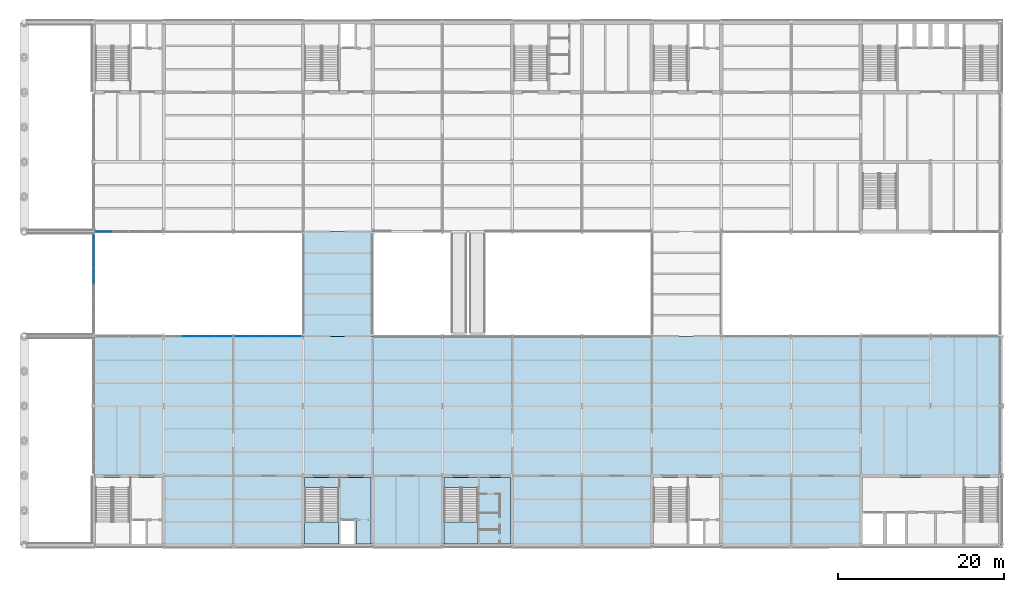
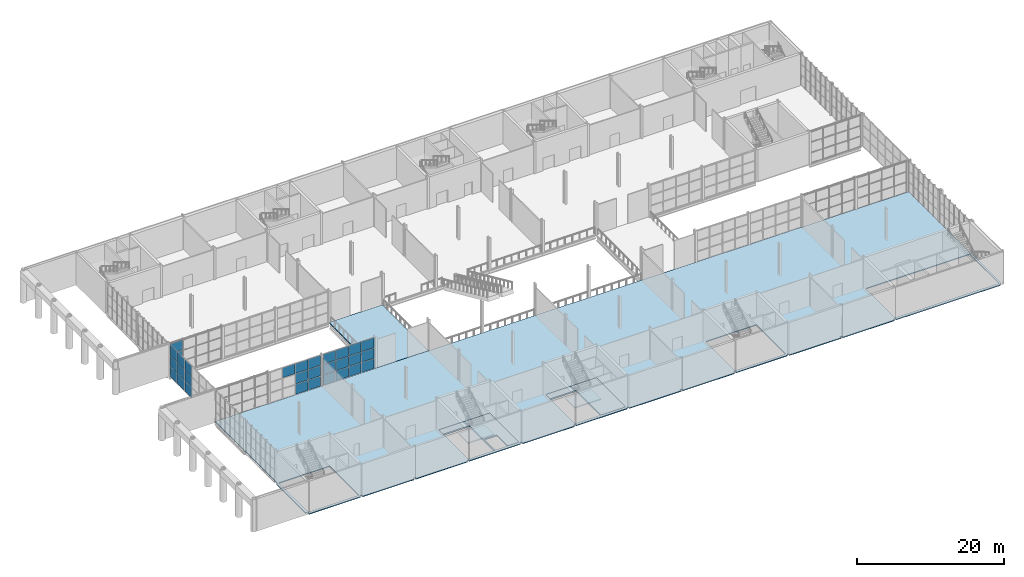
# One storey, part 33 of 64: 31 plates, 6 slabs, 6 elements without a shape of their own.
"""IFC4 building model written with IfcOpenShell, lengths in metres."""

from ifc_helpers import new_model, si_unit, direction, frame, origin, origin_2d, place, context, subcontext, project, spatial, polyline, rectangle, outline, extrude, material, layer, layer_set, type_object, element, aggregate, save


model = new_model("IFC4")

# Units and contexts
model_context = context("Model", 3, precision=1e-05, world=origin(), true_north=direction((0.0, 1.0)))
body_context = subcontext(model_context, "Body", "Model", "MODEL_VIEW")
ifc_project = project(units=[si_unit("LENGTHUNIT", "METRE"), si_unit("AREAUNIT", "SQUARE_METRE"), si_unit("VOLUMEUNIT", "CUBIC_METRE"), si_unit("PLANEANGLEUNIT", "RADIAN"), si_unit("MASSUNIT", "GRAM", prefix="KILO")], contexts=[model_context])

# Site, building, storey
site_placement = place(None, origin())
site = spatial("IfcSite", under=ifc_project, at=site_placement, CompositionType="ELEMENT")
building_placement = place(site_placement, origin())
building = spatial("IfcBuilding", under=site, at=building_placement, Name="Galleria Vessillo Department Store", CompositionType="ELEMENT")
storey_placement = place(building_placement, frame((0.0, 0.0, 6.0)))
storey = spatial("IfcBuildingStorey", under=building, at=storey_placement, Name="L01", CompositionType="ELEMENT", Elevation=6.0)

# Slabs
ifc_material_1 = material(Name="Concrete C32/40 composite on steel deck", Category="concrete")
ifc_layer_1 = layer(ifc_material_1, 0.14990234375)
ifc_layer_set_1 = layer_set([ifc_layer_1], Name="Concrete C32/40 composite on steel deck")
slab_type_1 = type_object("IfcSlabType", Name="Composite bridge slab 150 mm", PredefinedType="FLOOR", material=ifc_layer_set_1)
slab_1_placement = place(storey_placement, frame((0.0, 0.0, -0.14990234375)))
element("IfcSlab", 1, at=slab_1_placement, inside=storey, type_object=slab_type_1, Name="S-SLAB-L01-BRIDGE-W", PredefinedType="FLOOR", context=body_context, shape_type="SweptSolid", body=[
    extrude(outline(polyline([(42.0, 25.199951171875), (42.0, 37.800048828125), (33.60009765625, 37.800048828125), (33.60009765625, 25.199951171875), (42.0, 25.199951171875)])), origin(), (0.0, 0.0, 1.0), 0.14990234375),
])
ifc_material_2 = material(Name="Concrete C32/40 composite on steel deck", Category="concrete")
ifc_layer_2 = layer(ifc_material_2, 0.14990234375)
ifc_layer_set_2 = layer_set([ifc_layer_2], Name="Concrete C32/40 composite on steel deck")
slab_type_2 = type_object("IfcSlabType", Name="Composite floor slab 150 mm", PredefinedType="FLOOR", material=ifc_layer_set_2)
slab_2_placement = place(storey_placement, frame((0.0, 0.0, -0.14990234375)))
element("IfcSlab", 2, at=slab_2_placement, inside=storey, type_object=slab_type_2, Name="S-SLAB-L01-FLOOR-S", PredefinedType="FLOOR", context=body_context, shape_type="SweptSolid", body=[
    extrude(outline(polyline([(84.150634765625, 0.0), (83.849365234375, 0.0), (83.849365234375, -0.199462890625), (75.750732421875, -0.199462890625), (75.750732421875, 0.0), (75.449462890625, 0.0), (75.449462890625, -0.24951171875), (67.3505859375, -0.24951171875), (67.3505859375, 0.0), (67.04931640625, 0.0), (67.04931640625, -0.24951171875), (58.95068359375, -0.24951171875), (58.95068359375, 0.0), (58.6494140625, 0.0), (58.6494140625, -0.199462890625), (50.550537109375, -0.199462890625), (50.550537109375, 0.0), (50.249267578125, 0.0), (50.249267578125, -0.24951171875), (42.150634765625, -0.24951171875), (42.150634765625, 0.0), (41.849365234375, 0.0), (41.849365234375, -0.199462890625), (33.750732421875, -0.199462890625), (33.750732421875, 0.0), (33.449462890625, 0.0), (33.449462890625, -0.24951171875), (25.3505859375, -0.24951171875), (25.3505859375, 0.0), (25.04931640625, 0.0), (25.04931640625, -0.24951171875), (16.95068359375, -0.24951171875), (16.95068359375, 0.0), (16.6494140625, 0.0), (16.6494140625, -0.199462890625), (8.550537109375, -0.199462890625), (8.550537109375, 0.0), (8.39990234375, 0.0), (8.39990234375, 0.25048828125), (8.25048828125, 0.25048828125), (8.25048828125, 0.280517578125), (8.200439453125, 0.280517578125), (8.200439453125, 8.1494140625), (8.39990234375, 8.1494140625), (8.39990234375, 25.199951171875), (117.60009765625, 25.199951171875), (117.60009765625, 8.249267578125), (117.68017578125, 8.249267578125), (117.68017578125, 0.150634765625), (117.60009765625, 0.150634765625), (117.60009765625, 0.0), (117.349609375, 0.0), (117.349609375, -0.199462890625), (100.95068359375, -0.199462890625), (100.95068359375, 0.0), (100.6494140625, 0.0), (100.6494140625, -0.24951171875), (92.550537109375, -0.24951171875), (92.550537109375, 0.0), (92.249267578125, 0.0), (92.249267578125, -0.24951171875), (84.150634765625, -0.24951171875), (84.150634765625, 0.0)]), holes=[polyline([(8.599853515625, 8.199951171875), (8.599853515625, 0.199951171875), (16.60009765625, 0.199951171875), (16.60009765625, 8.199951171875), (8.599853515625, 8.199951171875)]), polyline([(33.800048828125, 8.199951171875), (33.800048828125, 0.199951171875), (41.800048828125, 0.199951171875), (41.800048828125, 8.199951171875), (33.800048828125, 8.199951171875)]), polyline([(50.599853515625, 8.199951171875), (50.599853515625, 0.199951171875), (58.60009765625, 0.199951171875), (58.60009765625, 8.199951171875), (50.599853515625, 8.199951171875)]), polyline([(83.800048828125, 8.199951171875), (75.800048828125, 8.199951171875), (75.800048828125, 0.199951171875), (83.800048828125, 0.199951171875), (83.800048828125, 8.199951171875)]), polyline([(117.400146484375, 8.199951171875), (101.0, 8.199951171875), (101.0, 0.199951171875), (117.400146484375, 0.199951171875), (117.400146484375, 8.199951171875)])]), origin(), (0.0, 0.0, 1.0), 0.14990234375),
])

# Curtain wall, plates
ifc_material_3 = material(Name="Aluminium and glass curtain wall", Category="aluminium")
ifc_layer_3 = layer(ifc_material_3, 0.159912109375)
ifc_layer_set_3 = layer_set([ifc_layer_3], Name="Aluminium and glass curtain wall")
curtain_wall_type_1 = type_object("IfcCurtainWallType", Name="Arcade portal glazing CW2 2100 module", PredefinedType="NOTDEFINED", material=ifc_layer_set_3)
curtain_wall_1_placement = place(storey_placement, origin())
curtain_wall_1 = element("IfcCurtainWall", 3, at=curtain_wall_1_placement, inside=storey, type_object=curtain_wall_type_1, Name="Arcade portal glazing CW2 2100 module PW-W-N-L01-01", PredefinedType="NOTDEFINED")
ifc_material_4 = material(Name="Glass laminated 44.2 low-e", Category="glass")
ifc_layer_4 = layer(ifc_material_4, 0.028076171875)
ifc_layer_set_4 = layer_set([ifc_layer_4], Name="Glass laminated 44.2 low-e")
plate_type_1 = type_object("IfcPlateType", Name="Laminated glass panel 28 mm", PredefinedType="CURTAIN_PANEL", material=ifc_layer_set_4)
plate_1_placement = place(storey_placement, frame((9.576904296875, 37.800048828125, 0.06005859375), z_axis=(0.0, 0.0, 1.0), x_axis=(1.0, 0.0, 0.0)))
plate_1 = element("IfcPlate", 4, at=plate_1_placement, type_object=plate_type_1, Name="CW2 panel 1.1", PredefinedType="CURTAIN_PANEL", context=body_context, shape_type="SweptSolid", body=[
    extrude(rectangle(XDim=1.94873046875, YDim=0.028076171875, at=origin_2d()), origin(), (0.0, 0.0, 1.0), 1.659912109375),
])
plate_2_placement = place(storey_placement, frame((9.576904296875, 37.800048828125, 1.780029296875), z_axis=(0.0, 0.0, 1.0), x_axis=(1.0, 0.0, 0.0)))
plate_2 = element("IfcPlate", 5, at=plate_2_placement, type_object=plate_type_1, Name="CW2 panel 1.2", PredefinedType="CURTAIN_PANEL", context=body_context, shape_type="SweptSolid", body=[
    extrude(rectangle(XDim=1.94873046875, YDim=0.028076171875, at=origin_2d()), origin(), (0.0, 0.0, 1.0), 1.68994140625),
])
plate_3_placement = place(storey_placement, frame((9.576904296875, 37.800048828125, 3.5302734375), z_axis=(0.0, 0.0, 1.0), x_axis=(1.0, 0.0, 0.0)))
plate_3 = element("IfcPlate", 6, at=plate_3_placement, type_object=plate_type_1, Name="CW2 panel 1.3", PredefinedType="CURTAIN_PANEL", context=body_context, shape_type="SweptSolid", body=[
    extrude(rectangle(XDim=1.94873046875, YDim=0.028076171875, at=origin_2d()), origin(), (0.0, 0.0, 1.0), 1.659912109375),
])
aggregate(curtain_wall_1, [plate_1, plate_2, plate_3])

curtain_wall_2_placement = place(storey_placement, origin())
curtain_wall_2 = element("IfcCurtainWall", 7, at=curtain_wall_2_placement, inside=storey, type_object=curtain_wall_type_1, Name="Arcade portal glazing CW2 2100 module SCR-W-L01-01", PredefinedType="NOTDEFINED")
plate_4_placement = place(storey_placement, frame((8.39990234375, 32.494384765625, 0.06005859375), z_axis=(0.0, 0.0, 1.0), x_axis=(0.0, 1.0, 0.0)))
plate_4 = element("IfcPlate", 8, at=plate_4_placement, type_object=plate_type_1, Name="CW2 panel 4.1", PredefinedType="CURTAIN_PANEL", context=body_context, shape_type="SweptSolid", body=[
    extrude(rectangle(XDim=1.938720703125, YDim=0.028076171875, at=origin_2d()), origin(), (0.0, 0.0, 1.0), 1.7099609375),
])
plate_5_placement = place(storey_placement, frame((8.39990234375, 32.494384765625, 1.830078125), z_axis=(0.0, 0.0, 1.0), x_axis=(0.0, 1.0, 0.0)))
plate_5 = element("IfcPlate", 9, at=plate_5_placement, type_object=plate_type_1, Name="CW2 panel 4.2", PredefinedType="CURTAIN_PANEL", context=body_context, shape_type="SweptSolid", body=[
    extrude(rectangle(XDim=1.938720703125, YDim=0.028076171875, at=origin_2d()), origin(), (0.0, 0.0, 1.0), 1.739990234375),
])
plate_6_placement = place(storey_placement, frame((8.39990234375, 32.494384765625, 3.6298828125), z_axis=(0.0, 0.0, 1.0), x_axis=(0.0, 1.0, 0.0)))
plate_6 = element("IfcPlate", 10, at=plate_6_placement, type_object=plate_type_1, Name="CW2 panel 4.3", PredefinedType="CURTAIN_PANEL", context=body_context, shape_type="SweptSolid", body=[
    extrude(rectangle(XDim=1.938720703125, YDim=0.028076171875, at=origin_2d()), origin(), (0.0, 0.0, 1.0), 1.7099609375),
])
plate_7_placement = place(storey_placement, frame((8.39990234375, 34.483154296875, 0.06005859375), z_axis=(0.0, 0.0, 1.0), x_axis=(0.0, 1.0, 0.0)))
plate_7 = element("IfcPlate", 11, at=plate_7_placement, type_object=plate_type_1, Name="CW2 panel 5.1", PredefinedType="CURTAIN_PANEL", context=body_context, shape_type="SweptSolid", body=[
    extrude(rectangle(XDim=1.938720703125, YDim=0.028076171875, at=origin_2d()), origin(), (0.0, 0.0, 1.0), 1.7099609375),
])
plate_8_placement = place(storey_placement, frame((8.39990234375, 34.483154296875, 1.830078125), z_axis=(0.0, 0.0, 1.0), x_axis=(0.0, 1.0, 0.0)))
plate_8 = element("IfcPlate", 12, at=plate_8_placement, type_object=plate_type_1, Name="CW2 panel 5.2", PredefinedType="CURTAIN_PANEL", context=body_context, shape_type="SweptSolid", body=[
    extrude(rectangle(XDim=1.938720703125, YDim=0.028076171875, at=origin_2d()), origin(), (0.0, 0.0, 1.0), 1.739990234375),
])
plate_9_placement = place(storey_placement, frame((8.39990234375, 34.483154296875, 3.6298828125), z_axis=(0.0, 0.0, 1.0), x_axis=(0.0, 1.0, 0.0)))
plate_9 = element("IfcPlate", 13, at=plate_9_placement, type_object=plate_type_1, Name="CW2 panel 5.3", PredefinedType="CURTAIN_PANEL", context=body_context, shape_type="SweptSolid", body=[
    extrude(rectangle(XDim=1.938720703125, YDim=0.028076171875, at=origin_2d()), origin(), (0.0, 0.0, 1.0), 1.7099609375),
])
plate_10_placement = place(storey_placement, frame((8.39990234375, 36.459228515625, 0.06005859375), z_axis=(0.0, 0.0, 1.0), x_axis=(0.0, 1.0, 0.0)))
plate_10 = element("IfcPlate", 14, at=plate_10_placement, type_object=plate_type_1, Name="CW2 panel 6.1", PredefinedType="CURTAIN_PANEL", context=body_context, shape_type="SweptSolid", body=[
    extrude(rectangle(XDim=1.91357421875, YDim=0.028076171875, at=origin_2d()), origin(), (0.0, 0.0, 1.0), 1.7099609375),
])
plate_11_placement = place(storey_placement, frame((8.39990234375, 36.459228515625, 1.830078125), z_axis=(0.0, 0.0, 1.0), x_axis=(0.0, 1.0, 0.0)))
plate_11 = element("IfcPlate", 15, at=plate_11_placement, type_object=plate_type_1, Name="CW2 panel 6.2", PredefinedType="CURTAIN_PANEL", context=body_context, shape_type="SweptSolid", body=[
    extrude(rectangle(XDim=1.91357421875, YDim=0.028076171875, at=origin_2d()), origin(), (0.0, 0.0, 1.0), 1.739990234375),
])
plate_12_placement = place(storey_placement, frame((8.39990234375, 36.459228515625, 3.6298828125), z_axis=(0.0, 0.0, 1.0), x_axis=(0.0, 1.0, 0.0)))
plate_12 = element("IfcPlate", 16, at=plate_12_placement, type_object=plate_type_1, Name="CW2 panel 6.3", PredefinedType="CURTAIN_PANEL", context=body_context, shape_type="SweptSolid", body=[
    extrude(rectangle(XDim=1.91357421875, YDim=0.028076171875, at=origin_2d()), origin(), (0.0, 0.0, 1.0), 1.7099609375),
])
aggregate(curtain_wall_2, [plate_4, plate_5, plate_6, plate_7, plate_8, plate_9, plate_10, plate_11, plate_12])

ifc_material_5 = material(Name="Aluminium and glass curtain wall", Category="aluminium")
ifc_layer_5 = layer(ifc_material_5, 0.199951171875)
ifc_layer_set_5 = layer_set([ifc_layer_5], Name="Aluminium and glass curtain wall")
curtain_wall_type_2 = type_object("IfcCurtainWallType", Name="Arcade curtain wall CW1 2100 module", PredefinedType="NOTDEFINED", material=ifc_layer_set_5)
curtain_wall_3_placement = place(storey_placement, origin())
curtain_wall_3 = element("IfcCurtainWall", 17, at=curtain_wall_3_placement, inside=storey, type_object=curtain_wall_type_2, Name="Arcade curtain wall CW1 2100 module AI-AW-S-L01-01", PredefinedType="NOTDEFINED")
ifc_material_6 = material(Name="Glass laminated 44.2 low-e", Category="glass")
ifc_layer_6 = layer(ifc_material_6, 0.031982421875)
ifc_layer_set_6 = layer_set([ifc_layer_6], Name="Glass laminated 44.2 low-e")
plate_type_2 = type_object("IfcPlateType", Name="Laminated glass panel 32 mm", PredefinedType="CURTAIN_PANEL", material=ifc_layer_set_6)
plate_13_placement = place(storey_placement, frame((19.988037109375, 25.199951171875, 3.534912109375), z_axis=(0.0, 0.0, 1.0), x_axis=(1.0, 0.0, 0.0)))
plate_13 = element("IfcPlate", 18, at=plate_13_placement, type_object=plate_type_2, Name="CW1 panel 2.3", PredefinedType="CURTAIN_PANEL", context=body_context, shape_type="SweptSolid", body=[
    extrude(rectangle(XDim=1.963623046875, YDim=0.031982421875, at=origin_2d()), origin(), (0.0, 0.0, 1.0), 1.64501953125),
])
plate_14_placement = place(storey_placement, frame((22.011474609375, 25.199951171875, 0.070068359375), z_axis=(0.0, 0.0, 1.0), x_axis=(1.0, 0.0, 0.0)))
plate_14 = element("IfcPlate", 19, at=plate_14_placement, type_object=plate_type_2, Name="CW1 panel 3.1", PredefinedType="CURTAIN_PANEL", context=body_context, shape_type="SweptSolid", body=[
    extrude(rectangle(XDim=1.963623046875, YDim=0.031982421875, at=origin_2d()), origin(), (0.0, 0.0, 1.0), 1.64501953125),
])
plate_15_placement = place(storey_placement, frame((22.011474609375, 25.199951171875, 1.78515625), z_axis=(0.0, 0.0, 1.0), x_axis=(1.0, 0.0, 0.0)))
plate_15 = element("IfcPlate", 20, at=plate_15_placement, type_object=plate_type_2, Name="CW1 panel 3.2", PredefinedType="CURTAIN_PANEL", context=body_context, shape_type="SweptSolid", body=[
    extrude(rectangle(XDim=1.963623046875, YDim=0.031982421875, at=origin_2d()), origin(), (0.0, 0.0, 1.0), 1.679931640625),
])
plate_16_placement = place(storey_placement, frame((22.011474609375, 25.199951171875, 3.534912109375), z_axis=(0.0, 0.0, 1.0), x_axis=(1.0, 0.0, 0.0)))
plate_16 = element("IfcPlate", 21, at=plate_16_placement, type_object=plate_type_2, Name="CW1 panel 3.3", PredefinedType="CURTAIN_PANEL", context=body_context, shape_type="SweptSolid", body=[
    extrude(rectangle(XDim=1.963623046875, YDim=0.031982421875, at=origin_2d()), origin(), (0.0, 0.0, 1.0), 1.64501953125),
])
plate_17_placement = place(storey_placement, frame((24.02001953125, 25.199951171875, 0.070068359375), z_axis=(0.0, 0.0, 1.0), x_axis=(1.0, 0.0, 0.0)))
plate_17 = element("IfcPlate", 22, at=plate_17_placement, type_object=plate_type_2, Name="CW1 panel 4.1", PredefinedType="CURTAIN_PANEL", context=body_context, shape_type="SweptSolid", body=[
    extrude(rectangle(XDim=1.93359375, YDim=0.031982421875, at=origin_2d()), origin(), (0.0, 0.0, 1.0), 1.64501953125),
])
plate_18_placement = place(storey_placement, frame((24.02001953125, 25.199951171875, 1.78515625), z_axis=(0.0, 0.0, 1.0), x_axis=(1.0, 0.0, 0.0)))
plate_18 = element("IfcPlate", 23, at=plate_18_placement, type_object=plate_type_2, Name="CW1 panel 4.2", PredefinedType="CURTAIN_PANEL", context=body_context, shape_type="SweptSolid", body=[
    extrude(rectangle(XDim=1.93359375, YDim=0.031982421875, at=origin_2d()), origin(), (0.0, 0.0, 1.0), 1.679931640625),
])
plate_19_placement = place(storey_placement, frame((24.02001953125, 25.199951171875, 3.534912109375), z_axis=(0.0, 0.0, 1.0), x_axis=(1.0, 0.0, 0.0)))
plate_19 = element("IfcPlate", 24, at=plate_19_placement, type_object=plate_type_2, Name="CW1 panel 4.3", PredefinedType="CURTAIN_PANEL", context=body_context, shape_type="SweptSolid", body=[
    extrude(rectangle(XDim=1.93359375, YDim=0.031982421875, at=origin_2d()), origin(), (0.0, 0.0, 1.0), 1.64501953125),
])
aggregate(curtain_wall_3, [plate_13, plate_14, plate_15, plate_16, plate_17, plate_18, plate_19])

curtain_wall_4_placement = place(storey_placement, origin())
curtain_wall_4 = element("IfcCurtainWall", 25, at=curtain_wall_4_placement, inside=storey, type_object=curtain_wall_type_2, Name="Arcade curtain wall CW1 2100 module AI-AW-S-L01-02", PredefinedType="NOTDEFINED")
plate_20_placement = place(storey_placement, frame((26.3798828125, 25.199951171875, 0.070068359375), z_axis=(0.0, 0.0, 1.0), x_axis=(1.0, 0.0, 0.0)))
plate_20 = element("IfcPlate", 26, at=plate_20_placement, type_object=plate_type_2, Name="CW1 panel 1.1", PredefinedType="CURTAIN_PANEL", context=body_context, shape_type="SweptSolid", body=[
    extrude(rectangle(XDim=1.93359375, YDim=0.031982421875, at=origin_2d()), origin(), (0.0, 0.0, 1.0), 1.64501953125),
])
plate_21_placement = place(storey_placement, frame((26.3798828125, 25.199951171875, 1.78515625), z_axis=(0.0, 0.0, 1.0), x_axis=(1.0, 0.0, 0.0)))
plate_21 = element("IfcPlate", 27, at=plate_21_placement, type_object=plate_type_2, Name="CW1 panel 1.2", PredefinedType="CURTAIN_PANEL", context=body_context, shape_type="SweptSolid", body=[
    extrude(rectangle(XDim=1.93359375, YDim=0.031982421875, at=origin_2d()), origin(), (0.0, 0.0, 1.0), 1.679931640625),
])
plate_22_placement = place(storey_placement, frame((26.3798828125, 25.199951171875, 3.534912109375), z_axis=(0.0, 0.0, 1.0), x_axis=(1.0, 0.0, 0.0)))
plate_22 = element("IfcPlate", 28, at=plate_22_placement, type_object=plate_type_2, Name="CW1 panel 1.3", PredefinedType="CURTAIN_PANEL", context=body_context, shape_type="SweptSolid", body=[
    extrude(rectangle(XDim=1.93359375, YDim=0.031982421875, at=origin_2d()), origin(), (0.0, 0.0, 1.0), 1.64501953125),
])
plate_23_placement = place(storey_placement, frame((28.388427734375, 25.199951171875, 0.070068359375), z_axis=(0.0, 0.0, 1.0), x_axis=(1.0, 0.0, 0.0)))
plate_23 = element("IfcPlate", 29, at=plate_23_placement, type_object=plate_type_2, Name="CW1 panel 2.1", PredefinedType="CURTAIN_PANEL", context=body_context, shape_type="SweptSolid", body=[
    extrude(rectangle(XDim=1.963623046875, YDim=0.031982421875, at=origin_2d()), origin(), (0.0, 0.0, 1.0), 1.64501953125),
])
plate_24_placement = place(storey_placement, frame((28.388427734375, 25.199951171875, 1.78515625), z_axis=(0.0, 0.0, 1.0), x_axis=(1.0, 0.0, 0.0)))
plate_24 = element("IfcPlate", 30, at=plate_24_placement, type_object=plate_type_2, Name="CW1 panel 2.2", PredefinedType="CURTAIN_PANEL", context=body_context, shape_type="SweptSolid", body=[
    extrude(rectangle(XDim=1.963623046875, YDim=0.031982421875, at=origin_2d()), origin(), (0.0, 0.0, 1.0), 1.679931640625),
])
plate_25_placement = place(storey_placement, frame((28.388427734375, 25.199951171875, 3.534912109375), z_axis=(0.0, 0.0, 1.0), x_axis=(1.0, 0.0, 0.0)))
plate_25 = element("IfcPlate", 31, at=plate_25_placement, type_object=plate_type_2, Name="CW1 panel 2.3", PredefinedType="CURTAIN_PANEL", context=body_context, shape_type="SweptSolid", body=[
    extrude(rectangle(XDim=1.963623046875, YDim=0.031982421875, at=origin_2d()), origin(), (0.0, 0.0, 1.0), 1.64501953125),
])
plate_26_placement = place(storey_placement, frame((30.412109375, 25.199951171875, 0.070068359375), z_axis=(0.0, 0.0, 1.0), x_axis=(1.0, 0.0, 0.0)))
plate_26 = element("IfcPlate", 32, at=plate_26_placement, type_object=plate_type_2, Name="CW1 panel 3.1", PredefinedType="CURTAIN_PANEL", context=body_context, shape_type="SweptSolid", body=[
    extrude(rectangle(XDim=1.963623046875, YDim=0.031982421875, at=origin_2d()), origin(), (0.0, 0.0, 1.0), 1.64501953125),
])
plate_27_placement = place(storey_placement, frame((30.412109375, 25.199951171875, 1.78515625), z_axis=(0.0, 0.0, 1.0), x_axis=(1.0, 0.0, 0.0)))
plate_27 = element("IfcPlate", 33, at=plate_27_placement, type_object=plate_type_2, Name="CW1 panel 3.2", PredefinedType="CURTAIN_PANEL", context=body_context, shape_type="SweptSolid", body=[
    extrude(rectangle(XDim=1.963623046875, YDim=0.031982421875, at=origin_2d()), origin(), (0.0, 0.0, 1.0), 1.679931640625),
])
plate_28_placement = place(storey_placement, frame((30.412109375, 25.199951171875, 3.534912109375), z_axis=(0.0, 0.0, 1.0), x_axis=(1.0, 0.0, 0.0)))
plate_28 = element("IfcPlate", 34, at=plate_28_placement, type_object=plate_type_2, Name="CW1 panel 3.3", PredefinedType="CURTAIN_PANEL", context=body_context, shape_type="SweptSolid", body=[
    extrude(rectangle(XDim=1.963623046875, YDim=0.031982421875, at=origin_2d()), origin(), (0.0, 0.0, 1.0), 1.64501953125),
])
plate_29_placement = place(storey_placement, frame((32.420654296875, 25.199951171875, 0.070068359375), z_axis=(0.0, 0.0, 1.0), x_axis=(1.0, 0.0, 0.0)))
plate_29 = element("IfcPlate", 35, at=plate_29_placement, type_object=plate_type_2, Name="CW1 panel 4.1", PredefinedType="CURTAIN_PANEL", context=body_context, shape_type="SweptSolid", body=[
    extrude(rectangle(XDim=1.93359375, YDim=0.031982421875, at=origin_2d()), origin(), (0.0, 0.0, 1.0), 1.64501953125),
])
plate_30_placement = place(storey_placement, frame((32.420654296875, 25.199951171875, 1.78515625), z_axis=(0.0, 0.0, 1.0), x_axis=(1.0, 0.0, 0.0)))
plate_30 = element("IfcPlate", 36, at=plate_30_placement, type_object=plate_type_2, Name="CW1 panel 4.2", PredefinedType="CURTAIN_PANEL", context=body_context, shape_type="SweptSolid", body=[
    extrude(rectangle(XDim=1.93359375, YDim=0.031982421875, at=origin_2d()), origin(), (0.0, 0.0, 1.0), 1.679931640625),
])
plate_31_placement = place(storey_placement, frame((32.420654296875, 25.199951171875, 3.534912109375), z_axis=(0.0, 0.0, 1.0), x_axis=(1.0, 0.0, 0.0)))
plate_31 = element("IfcPlate", 37, at=plate_31_placement, type_object=plate_type_2, Name="CW1 panel 4.3", PredefinedType="CURTAIN_PANEL", context=body_context, shape_type="SweptSolid", body=[
    extrude(rectangle(XDim=1.93359375, YDim=0.031982421875, at=origin_2d()), origin(), (0.0, 0.0, 1.0), 1.64501953125),
])
aggregate(curtain_wall_4, [plate_20, plate_21, plate_22, plate_23, plate_24, plate_25, plate_26, plate_27, plate_28, plate_29, plate_30, plate_31])

# Slabs
ifc_material_7 = material(Name="Concrete C32/40 reinforced", Category="concrete")
ifc_layer_7 = layer(ifc_material_7, 0.219970703125)
ifc_layer_set_7 = layer_set([ifc_layer_7], Name="Concrete C32/40 reinforced")
slab_type_3 = type_object("IfcSlabType", Name="Reinforced concrete core floor slab 220 mm", PredefinedType="FLOOR", material=ifc_layer_set_7)
slab_3_placement = place(storey_placement, frame((0.0, 0.0, -0.219970703125)))
element("IfcSlab", 38, at=slab_3_placement, inside=storey, type_object=slab_type_3, Name="S-SLAB-L01-CORE-PC-SM", PredefinedType="FLOOR", context=body_context, shape_type="SweptSolid", body=[
    extrude(outline(polyline([(33.800048828125, 8.199951171875), (41.800048828125, 8.199951171875), (41.800048828125, 0.199951171875), (40.050048828125, 0.199951171875), (40.050048828125, 3.199951171875), (38.10009765625, 3.199951171875), (38.10009765625, 0.199951171875), (37.89990234375, 0.199951171875), (37.89990234375, 7.0), (33.800048828125, 7.0), (33.800048828125, 8.199951171875)])), origin(), (0.0, 0.0, 1.0), 0.219970703125),
])
slab_4_placement = place(storey_placement, frame((0.0, 0.0, -0.219970703125)))
element("IfcSlab", 39, at=slab_4_placement, inside=storey, type_object=slab_type_3, Name="S-SLAB-L01-CORE-PC-SC", PredefinedType="FLOOR", context=body_context, shape_type="SweptSolid", body=[
    extrude(outline(polyline([(50.599853515625, 8.199951171875), (58.60009765625, 8.199951171875), (58.60009765625, 0.199951171875), (54.699951171875, 0.199951171875), (54.699951171875, 7.0), (50.60009765625, 7.0), (50.60009765625, 0.199951171875), (50.599853515625, 8.199951171875)])), origin(), (0.0, 0.0, 1.0), 0.219970703125),
])

# Stair, slab
ifc_material_8 = material(Name="Concrete C32/40", Category="concrete")
stair_type = type_object("IfcStairType", Name="Half-turn escape stair 2000 mm, 32 risers of 169 mm", PredefinedType="HALF_TURN_STAIR", material=ifc_material_8)
stair_1_placement = place(storey_placement, origin())
stair_1 = element("IfcStair", 40, at=stair_1_placement, inside=storey, type_object=stair_type, Name="Stair ST3 L01", PredefinedType="HALF_TURN_STAIR")
ifc_material_9 = material(Name="Concrete C32/40", Category="concrete")
ifc_layer_8 = layer(ifc_material_9, 0.199951171875)
ifc_layer_set_8 = layer_set([ifc_layer_8], Name="Concrete C32/40")
slab_type_4 = type_object("IfcSlabType", Name="Stair half landing 4100 x 2600 mm", PredefinedType="LANDING", material=ifc_layer_set_8)
slab_5_placement = place(storey_placement, frame((0.0, 0.0, 2.5)))
slab_5 = element("IfcSlab", 41, at=slab_5_placement, type_object=slab_type_4, Name="ST3 landing 1", PredefinedType="LANDING", context=body_context, shape_type="SweptSolid", body=[
    extrude(outline(polyline([(33.800048828125, 0.199951171875), (33.800048828125, 2.800048828125), (37.900146484375, 2.800048828125), (37.900146484375, 0.199951171875), (33.800048828125, 0.199951171875)])), origin(), (0.0, 0.0, 1.0), 0.199951171875),
])
aggregate(stair_1, [slab_5])

stair_2_placement = place(storey_placement, origin())
stair_2 = element("IfcStair", 42, at=stair_2_placement, inside=storey, type_object=stair_type, Name="Stair ST10 L01", PredefinedType="HALF_TURN_STAIR")
slab_6_placement = place(storey_placement, frame((0.0, 0.0, 2.5)))
slab_6 = element("IfcSlab", 43, at=slab_6_placement, type_object=slab_type_4, Name="ST10 landing 1", PredefinedType="LANDING", context=body_context, shape_type="SweptSolid", body=[
    extrude(outline(polyline([(50.599853515625, 0.199951171875), (50.599853515625, 2.800048828125), (54.699951171875, 2.800048828125), (54.699951171875, 0.199951171875), (50.599853515625, 0.199951171875)])), origin(), (0.0, 0.0, 1.0), 0.199951171875),
])
aggregate(stair_2, [slab_6])

save(model, "model.ifc")
